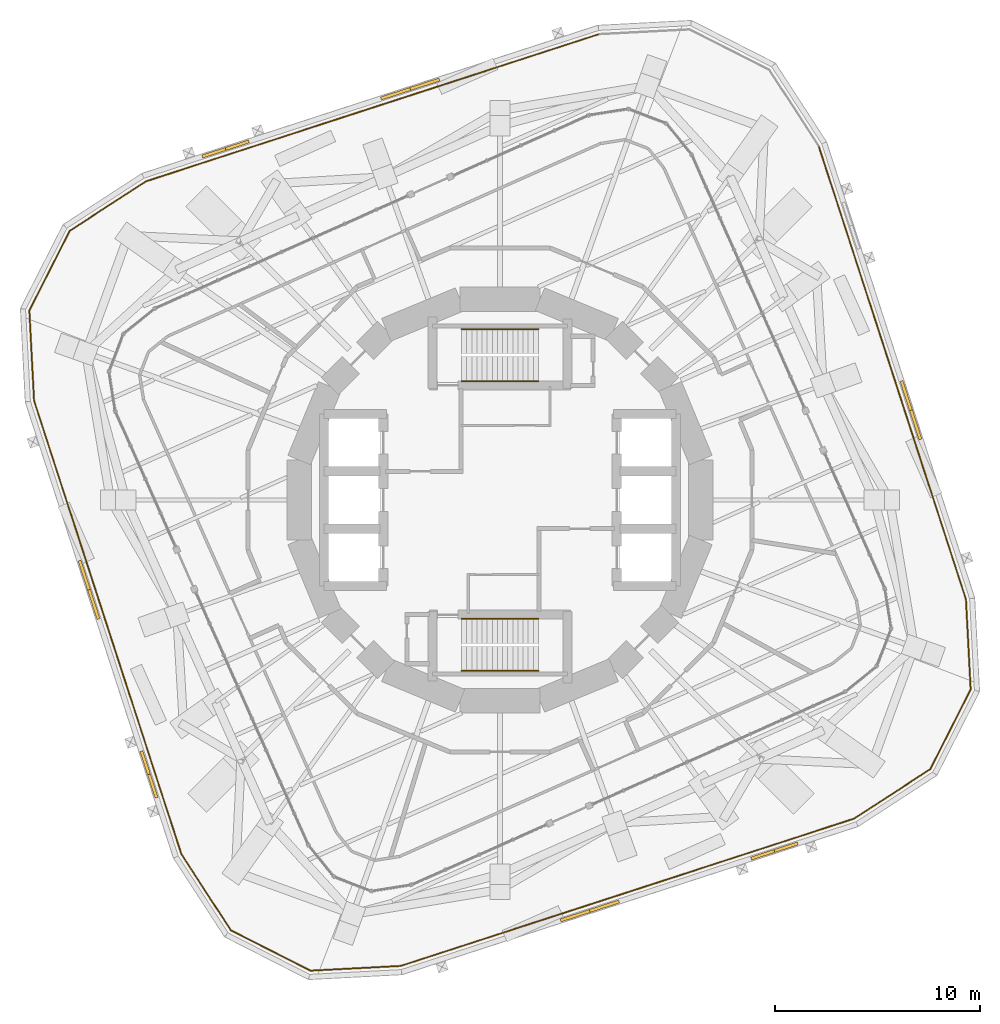
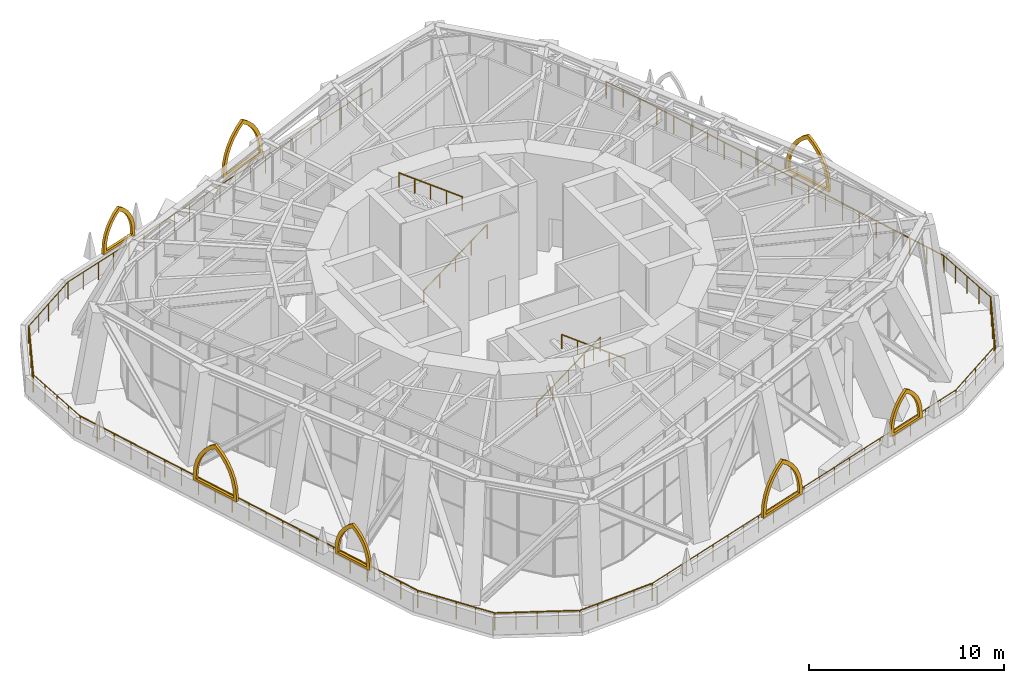
# One storey, part 16 of 18: 17 railings, 7 shading devices.
"""IFC4 building model written with IfcOpenShell, lengths in metres."""

from ifc_helpers import new_model, si_unit, direction, frame, origin, origin_2d, place, context, subcontext, project, spatial, polyline, circle, outline, extrude, material, type_object, element, save


model = new_model("IFC4")

# Units and contexts
model_context = context("Model", 3, precision=1e-05, world=origin(), true_north=direction((0.0, 1.0)))
body_context = subcontext(model_context, "Body", "Model", "MODEL_VIEW")
ifc_project = project(units=[si_unit("LENGTHUNIT", "METRE"), si_unit("AREAUNIT", "SQUARE_METRE"), si_unit("VOLUMEUNIT", "CUBIC_METRE"), si_unit("PLANEANGLEUNIT", "RADIAN"), si_unit("MASSUNIT", "GRAM", prefix="KILO")], contexts=[model_context])

# Site, building, storey
site_placement = place(None, origin())
site = spatial("IfcSite", under=ifc_project, at=site_placement, CompositionType="ELEMENT")
building_placement = place(site_placement, origin())
building = spatial("IfcBuilding", under=site, at=building_placement, Name="Nakasero Lantern House", CompositionType="ELEMENT")
storey_placement = place(building_placement, frame((0.0, 0.0, 176.449951171875)))
storey = spatial("IfcBuildingStorey", under=building, at=storey_placement, Name="L43", CompositionType="ELEMENT", Elevation=176.449951171875)

# Shading devices
ifc_material_1 = material(Name="Aluminium 6063-T6", Category="aluminium")
shading_device_type_1 = type_object("IfcShadingDeviceType", Name="Lancet screen 2400", PredefinedType="USERDEFINED", material=ifc_material_1)
for number, where, z_axis, x_axis, name in (
    (1, (-13.405029296875, 17.14697265625, 1.10009765625), (0.0, 0.0, 1.0), (-0.951056516, -0.309016994, 0.0), "Tracery screen L43 1-01"),
    (2, (-17.14697265625, -13.405029296875, 1.10009765625), (0.0, 0.0, 1.0), (0.309016994, -0.951056516, 0.0), "Tracery screen L43 2-01"),
    (3, (13.405029296875, -17.14697265625, 1.10009765625), (0.0, 0.0, 1.0), (0.951056516, 0.309016994, 0.0), "Tracery screen L43 3-01"),
):
    element("IfcShadingDevice", number, at=place(storey_placement, frame(where, z_axis=z_axis, x_axis=x_axis)), inside=storey, type_object=shading_device_type_1, Name=name, ObjectType="LANCET SCREEN", PredefinedType="USERDEFINED", context=body_context, shape_type="SweptSolid", body=[
        extrude(outline(polyline([(-1.199951171875, 0.0), (1.199951171875, 0.0), (1.199951171875, 0.300048828125), (1.16357421875, 0.716796875), (1.05517578125, 1.120849609375), (0.87841796875, 1.5), (0.638427734375, 1.8427734375), (0.3427734375, 2.138427734375), (0.0, 2.37841796875), (-0.3427734375, 2.138427734375), (-0.638427734375, 1.8427734375), (-0.87841796875, 1.5), (-1.05517578125, 1.120849609375), (-1.16357421875, 0.716796875), (-1.199951171875, 0.300048828125), (-1.199951171875, 0.0)]), holes=[polyline([(-0.97998046875, 0.14990234375), (0.97998046875, 0.14990234375), (0.97998046875, 0.300048828125), (0.950439453125, 0.6572265625), (0.86279296875, 1.0048828125), (0.719482421875, 1.33349609375), (0.524169921875, 1.63427734375), (0.281982421875, 1.898681640625), (0.0, 2.1201171875), (-0.281982421875, 1.898681640625), (-0.524169921875, 1.63427734375), (-0.719482421875, 1.33349609375), (-0.86279296875, 1.0048828125), (-0.950439453125, 0.6572265625), (-0.97998046875, 0.300048828125), (-0.97998046875, 0.14990234375)])]), frame((0.0, 0.074951171875, 0.0), z_axis=(0.0, -1.0, 0.0), x_axis=(1.0, 0.0, 0.0)), (0.0, 0.0, 1.0), 0.14990234375),
    ])
ifc_material_2 = material(Name="Aluminium 6063-T6", Category="aluminium")
shading_device_type_2 = type_object("IfcShadingDeviceType", Name="Lancet screen 3000", PredefinedType="USERDEFINED", material=ifc_material_2)
for number, where, z_axis, x_axis, name in (
    (4, (20.07666015625, 4.3876953125, 1.10009765625), (0.0, 0.0, 1.0), (-0.309016994, 0.951056516, 0.0), "Tracery screen L43 0-00"),
    (5, (-4.3876953125, 20.07666015625, 1.10009765625), (0.0, 0.0, 1.0), (-0.951056516, -0.309016994, 0.0), "Tracery screen L43 1-00"),
    (6, (-20.07666015625, -4.3876953125, 1.10009765625), (0.0, 0.0, 1.0), (0.309016994, -0.951056516, 0.0), "Tracery screen L43 2-00"),
    (7, (4.3876953125, -20.07666015625, 1.10009765625), (0.0, 0.0, 1.0), (0.951056516, 0.309016994, 0.0), "Tracery screen L43 3-00"),
):
    element("IfcShadingDevice", number, at=place(storey_placement, frame(where, z_axis=z_axis, x_axis=x_axis)), inside=storey, type_object=shading_device_type_2, Name=name, ObjectType="LANCET SCREEN", PredefinedType="USERDEFINED", context=body_context, shape_type="SweptSolid", body=[
        extrude(outline(polyline([(-1.5, 0.0), (1.5, 0.0), (1.5, 0.300048828125), (1.454345703125, 0.821044921875), (1.319091796875, 1.326171875), (1.09814453125, 1.800048828125), (0.798095703125, 2.228271484375), (0.428466796875, 2.59814453125), (0.0, 2.898193359375), (-0.428466796875, 2.59814453125), (-0.798095703125, 2.228271484375), (-1.09814453125, 1.800048828125), (-1.319091796875, 1.326171875), (-1.454345703125, 0.821044921875), (-1.5, 0.300048828125), (-1.5, 0.0)]), holes=[polyline([(-1.280029296875, 0.14990234375), (1.280029296875, 0.14990234375), (1.280029296875, 0.300048828125), (1.241455078125, 0.761474609375), (1.126708984375, 1.21044921875), (0.939208984375, 1.6337890625), (0.683837890625, 2.020263671875), (0.367919921875, 2.359130859375), (0.0, 2.640625), (-0.367919921875, 2.359130859375), (-0.683837890625, 2.020263671875), (-0.939208984375, 1.6337890625), (-1.126708984375, 1.21044921875), (-1.241455078125, 0.761474609375), (-1.280029296875, 0.300048828125), (-1.280029296875, 0.14990234375)])]), frame((0.0, 0.074951171875, 0.0), z_axis=(0.0, -1.0, 0.0), x_axis=(1.0, 0.0, 0.0)), (0.0, 0.0, 1.0), 0.14990234375),
    ])

# Railings
ifc_material_3 = material(Name="Aluminium 6063-T6", Category="aluminium")
railing_type_1 = type_object("IfcRailingType", Name="Sky garden guard 1100", PredefinedType="GUARDRAIL", material=ifc_material_3)
railing_1_placement = place(storey_placement, frame((-22.99267578125, 9.265380859375, 0.0)))
element("IfcRailing", 8, at=railing_1_placement, inside=storey, type_object=railing_type_1, Name="Sky garden guard L43 1", PredefinedType="GUARDRAIL", context=body_context, shape_type="SweptSolid", body=[
    extrude(circle(Radius=0.02392578125, at=origin_2d()), frame((0.0, 0.0, 1.076171875), z_axis=(0.453978557645, 0.891012608889, 0.0), x_axis=(-0.891012608889, 0.453978557645, 0.0)), (0.0, 0.0, 1.0), 4.36572265625),
    extrude(circle(Radius=0.02099609375, at=origin_2d()), origin(), (0.0, 0.0, 1.0), 1.052001953125),
    extrude(circle(Radius=0.02099609375, at=origin_2d()), frame((0.49560546875, 0.972412109375, 0.0)), (0.0, 0.0, 1.0), 1.052001953125),
    extrude(circle(Radius=0.02099609375, at=origin_2d()), frame((0.990966796875, 1.94482421875, 0.0)), (0.0, 0.0, 1.0), 1.052001953125),
    extrude(circle(Radius=0.02099609375, at=origin_2d()), frame((1.486328125, 2.91748046875, 0.0)), (0.0, 0.0, 1.0), 1.052001953125),
    extrude(circle(Radius=0.02099609375, at=origin_2d()), frame((1.98193359375, 3.889892578125, 0.0)), (0.0, 0.0, 1.0), 1.052001953125),
])
railing_2_placement = place(storey_placement, frame((-22.760986328125, 4.84423828125, 0.0)))
element("IfcRailing", 9, at=railing_2_placement, inside=storey, type_object=railing_type_1, Name="Sky garden guard L43 2", PredefinedType="GUARDRAIL", context=body_context, shape_type="SweptSolid", body=[
    extrude(circle(Radius=0.02392578125, at=origin_2d()), frame((0.0, 0.0, 1.076171875), z_axis=(-0.052333070407, 0.998629685991, 0.0), x_axis=(-0.998629685991, -0.052333070407, 0.0)), (0.0, 0.0, 1.0), 4.42724609375),
    extrude(circle(Radius=0.02099609375, at=origin_2d()), origin(), (0.0, 0.0, 1.0), 1.052001953125),
    extrude(circle(Radius=0.02099609375, at=origin_2d()), frame((-0.057861328125, 1.105224609375, 0.0)), (0.0, 0.0, 1.0), 1.052001953125),
    extrude(circle(Radius=0.02099609375, at=origin_2d()), frame((-0.11572265625, 2.21044921875, 0.0)), (0.0, 0.0, 1.0), 1.052001953125),
    extrude(circle(Radius=0.02099609375, at=origin_2d()), frame((-0.173828125, 3.31591796875, 0.0)), (0.0, 0.0, 1.0), 1.052001953125),
    extrude(circle(Radius=0.02099609375, at=origin_2d()), frame((-0.231689453125, 4.421142578125, 0.0)), (0.0, 0.0, 1.0), 1.052001953125),
])
railing_3_placement = place(storey_placement, frame((-21.0107421875, 13.1552734375, 0.0)))
element("IfcRailing", 10, at=railing_3_placement, inside=storey, type_object=railing_type_1, Name="Sky garden guard L43 3", PredefinedType="GUARDRAIL", context=body_context, shape_type="SweptSolid", body=[
    extrude(circle(Radius=0.02392578125, at=origin_2d()), frame((0.0, 0.0, 1.076171875), z_axis=(0.838666540027, 0.544645237415, 0.0), x_axis=(-0.544645237415, 0.838666540027, 0.0)), (0.0, 0.0, 1.0), 4.427490234375),
    extrude(circle(Radius=0.02099609375, at=origin_2d()), origin(), (0.0, 0.0, 1.0), 1.052001953125),
    extrude(circle(Radius=0.02099609375, at=origin_2d()), frame((0.92822265625, 0.602783203125, 0.0)), (0.0, 0.0, 1.0), 1.052001953125),
    extrude(circle(Radius=0.02099609375, at=origin_2d()), frame((1.8564453125, 1.20556640625, 0.0)), (0.0, 0.0, 1.0), 1.052001953125),
    extrude(circle(Radius=0.02099609375, at=origin_2d()), frame((2.784912109375, 1.80859375, 0.0)), (0.0, 0.0, 1.0), 1.052001953125),
    extrude(circle(Radius=0.02099609375, at=origin_2d()), frame((3.713134765625, 2.411376953125, 0.0)), (0.0, 0.0, 1.0), 1.052001953125),
])
railing_4_placement = place(storey_placement, frame((-17.297607421875, 15.566650390625, 0.0)))
element("IfcRailing", 11, at=railing_4_placement, inside=storey, type_object=railing_type_1, Name="Sky garden guard L43 4", PredefinedType="GUARDRAIL", context=body_context, shape_type="SweptSolid", body=[
    extrude(circle(Radius=0.02392578125, at=origin_2d()), frame((0.0, 0.0, 1.076171875), z_axis=(0.951056337576, 0.309017544416, 0.0), x_axis=(-0.309017544416, 0.951056337576, 0.0)), (0.0, 0.0, 1.0), 23.28125),
    extrude(circle(Radius=0.02099609375, at=origin_2d()), origin(), (0.0, 0.0, 1.0), 1.052001953125),
    extrude(circle(Radius=0.02099609375, at=origin_2d()), frame((1.107177734375, 0.359619140625, 0.0)), (0.0, 0.0, 1.0), 1.052001953125),
    extrude(circle(Radius=0.02099609375, at=origin_2d()), frame((2.214111328125, 0.719482421875, 0.0)), (0.0, 0.0, 1.0), 1.052001953125),
    extrude(circle(Radius=0.02099609375, at=origin_2d()), frame((3.3212890625, 1.0791015625, 0.0)), (0.0, 0.0, 1.0), 1.052001953125),
    extrude(circle(Radius=0.02099609375, at=origin_2d()), frame((4.428466796875, 1.43896484375, 0.0)), (0.0, 0.0, 1.0), 1.052001953125),
    extrude(circle(Radius=0.02099609375, at=origin_2d()), frame((5.535400390625, 1.798583984375, 0.0)), (0.0, 0.0, 1.0), 1.052001953125),
    extrude(circle(Radius=0.02099609375, at=origin_2d()), frame((6.642578125, 2.158203125, 0.0)), (0.0, 0.0, 1.0), 1.052001953125),
    extrude(circle(Radius=0.02099609375, at=origin_2d()), frame((7.749755859375, 2.51806640625, 0.0)), (0.0, 0.0, 1.0), 1.052001953125),
    extrude(circle(Radius=0.02099609375, at=origin_2d()), frame((8.856689453125, 2.877685546875, 0.0)), (0.0, 0.0, 1.0), 1.052001953125),
    extrude(circle(Radius=0.02099609375, at=origin_2d()), frame((9.9638671875, 3.237548828125, 0.0)), (0.0, 0.0, 1.0), 1.052001953125),
    extrude(circle(Radius=0.02099609375, at=origin_2d()), frame((11.07080078125, 3.59716796875, 0.0)), (0.0, 0.0, 1.0), 1.052001953125),
    extrude(circle(Radius=0.02099609375, at=origin_2d()), frame((12.177978515625, 3.956787109375, 0.0)), (0.0, 0.0, 1.0), 1.052001953125),
    extrude(circle(Radius=0.02099609375, at=origin_2d()), frame((13.28515625, 4.316650390625, 0.0)), (0.0, 0.0, 1.0), 1.052001953125),
    extrude(circle(Radius=0.02099609375, at=origin_2d()), frame((14.39208984375, 4.67626953125, 0.0)), (0.0, 0.0, 1.0), 1.052001953125),
    extrude(circle(Radius=0.02099609375, at=origin_2d()), frame((15.499267578125, 5.0361328125, 0.0)), (0.0, 0.0, 1.0), 1.052001953125),
    extrude(circle(Radius=0.02099609375, at=origin_2d()), frame((16.6064453125, 5.395751953125, 0.0)), (0.0, 0.0, 1.0), 1.052001953125),
    extrude(circle(Radius=0.02099609375, at=origin_2d()), frame((17.71337890625, 5.75537109375, 0.0)), (0.0, 0.0, 1.0), 1.052001953125),
    extrude(circle(Radius=0.02099609375, at=origin_2d()), frame((18.820556640625, 6.115234375, 0.0)), (0.0, 0.0, 1.0), 1.052001953125),
    extrude(circle(Radius=0.02099609375, at=origin_2d()), frame((19.927734375, 6.474853515625, 0.0)), (0.0, 0.0, 1.0), 1.052001953125),
    extrude(circle(Radius=0.02099609375, at=origin_2d()), frame((21.03466796875, 6.834716796875, 0.0)), (0.0, 0.0, 1.0), 1.052001953125),
    extrude(circle(Radius=0.02099609375, at=origin_2d()), frame((22.141845703125, 7.1943359375, 0.0)), (0.0, 0.0, 1.0), 1.052001953125),
])
railing_5_placement = place(storey_placement, frame((-15.566650390625, -17.297607421875, 0.0)))
element("IfcRailing", 12, at=railing_5_placement, inside=storey, type_object=railing_type_1, Name="Sky garden guard L43 5", PredefinedType="GUARDRAIL", context=body_context, shape_type="SweptSolid", body=[
    extrude(circle(Radius=0.02392578125, at=origin_2d()), frame((0.0, 0.0, 1.076171875), z_axis=(-0.309017544416, 0.951056337576, 0.0), x_axis=(-0.951056337576, -0.309017544416, 0.0)), (0.0, 0.0, 1.0), 23.28125),
    extrude(circle(Radius=0.02099609375, at=origin_2d()), origin(), (0.0, 0.0, 1.0), 1.052001953125),
    extrude(circle(Radius=0.02099609375, at=origin_2d()), frame((-0.359619140625, 1.107177734375, 0.0)), (0.0, 0.0, 1.0), 1.052001953125),
    extrude(circle(Radius=0.02099609375, at=origin_2d()), frame((-0.719482421875, 2.214111328125, 0.0)), (0.0, 0.0, 1.0), 1.052001953125),
    extrude(circle(Radius=0.02099609375, at=origin_2d()), frame((-1.0791015625, 3.3212890625, 0.0)), (0.0, 0.0, 1.0), 1.052001953125),
    extrude(circle(Radius=0.02099609375, at=origin_2d()), frame((-1.43896484375, 4.428466796875, 0.0)), (0.0, 0.0, 1.0), 1.052001953125),
    extrude(circle(Radius=0.02099609375, at=origin_2d()), frame((-1.798583984375, 5.535400390625, 0.0)), (0.0, 0.0, 1.0), 1.052001953125),
    extrude(circle(Radius=0.02099609375, at=origin_2d()), frame((-2.158203125, 6.642578125, 0.0)), (0.0, 0.0, 1.0), 1.052001953125),
    extrude(circle(Radius=0.02099609375, at=origin_2d()), frame((-2.51806640625, 7.749755859375, 0.0)), (0.0, 0.0, 1.0), 1.052001953125),
    extrude(circle(Radius=0.02099609375, at=origin_2d()), frame((-2.877685546875, 8.856689453125, 0.0)), (0.0, 0.0, 1.0), 1.052001953125),
    extrude(circle(Radius=0.02099609375, at=origin_2d()), frame((-3.237548828125, 9.9638671875, 0.0)), (0.0, 0.0, 1.0), 1.052001953125),
    extrude(circle(Radius=0.02099609375, at=origin_2d()), frame((-3.59716796875, 11.07080078125, 0.0)), (0.0, 0.0, 1.0), 1.052001953125),
    extrude(circle(Radius=0.02099609375, at=origin_2d()), frame((-3.956787109375, 12.177978515625, 0.0)), (0.0, 0.0, 1.0), 1.052001953125),
    extrude(circle(Radius=0.02099609375, at=origin_2d()), frame((-4.316650390625, 13.28515625, 0.0)), (0.0, 0.0, 1.0), 1.052001953125),
    extrude(circle(Radius=0.02099609375, at=origin_2d()), frame((-4.67626953125, 14.39208984375, 0.0)), (0.0, 0.0, 1.0), 1.052001953125),
    extrude(circle(Radius=0.02099609375, at=origin_2d()), frame((-5.0361328125, 15.499267578125, 0.0)), (0.0, 0.0, 1.0), 1.052001953125),
    extrude(circle(Radius=0.02099609375, at=origin_2d()), frame((-5.395751953125, 16.6064453125, 0.0)), (0.0, 0.0, 1.0), 1.052001953125),
    extrude(circle(Radius=0.02099609375, at=origin_2d()), frame((-5.75537109375, 17.71337890625, 0.0)), (0.0, 0.0, 1.0), 1.052001953125),
    extrude(circle(Radius=0.02099609375, at=origin_2d()), frame((-6.115234375, 18.820556640625, 0.0)), (0.0, 0.0, 1.0), 1.052001953125),
    extrude(circle(Radius=0.02099609375, at=origin_2d()), frame((-6.474853515625, 19.927734375, 0.0)), (0.0, 0.0, 1.0), 1.052001953125),
    extrude(circle(Radius=0.02099609375, at=origin_2d()), frame((-6.834716796875, 21.03466796875, 0.0)), (0.0, 0.0, 1.0), 1.052001953125),
    extrude(circle(Radius=0.02099609375, at=origin_2d()), frame((-7.1943359375, 22.141845703125, 0.0)), (0.0, 0.0, 1.0), 1.052001953125),
])
railing_6_placement = place(storey_placement, frame((-13.1552734375, -21.0107421875, 0.0)))
element("IfcRailing", 13, at=railing_6_placement, inside=storey, type_object=railing_type_1, Name="Sky garden guard L43 6", PredefinedType="GUARDRAIL", context=body_context, shape_type="SweptSolid", body=[
    extrude(circle(Radius=0.02392578125, at=origin_2d()), frame((0.0, 0.0, 1.076171875), z_axis=(-0.544645237415, 0.838666540027, 0.0), x_axis=(-0.838666540027, -0.544645237415, 0.0)), (0.0, 0.0, 1.0), 4.427490234375),
    extrude(circle(Radius=0.02099609375, at=origin_2d()), origin(), (0.0, 0.0, 1.0), 1.052001953125),
    extrude(circle(Radius=0.02099609375, at=origin_2d()), frame((-0.602783203125, 0.92822265625, 0.0)), (0.0, 0.0, 1.0), 1.052001953125),
    extrude(circle(Radius=0.02099609375, at=origin_2d()), frame((-1.20556640625, 1.8564453125, 0.0)), (0.0, 0.0, 1.0), 1.052001953125),
    extrude(circle(Radius=0.02099609375, at=origin_2d()), frame((-1.80859375, 2.784912109375, 0.0)), (0.0, 0.0, 1.0), 1.052001953125),
    extrude(circle(Radius=0.02099609375, at=origin_2d()), frame((-2.411376953125, 3.713134765625, 0.0)), (0.0, 0.0, 1.0), 1.052001953125),
])
railing_7_placement = place(storey_placement, frame((-9.265380859375, -22.99267578125, 0.0)))
element("IfcRailing", 14, at=railing_7_placement, inside=storey, type_object=railing_type_1, Name="Sky garden guard L43 7", PredefinedType="GUARDRAIL", context=body_context, shape_type="SweptSolid", body=[
    extrude(circle(Radius=0.02392578125, at=origin_2d()), frame((0.0, 0.0, 1.076171875), z_axis=(-0.891012608889, 0.453978557645, 0.0), x_axis=(-0.453978557645, -0.891012608889, 0.0)), (0.0, 0.0, 1.0), 4.36572265625),
    extrude(circle(Radius=0.02099609375, at=origin_2d()), origin(), (0.0, 0.0, 1.0), 1.052001953125),
    extrude(circle(Radius=0.02099609375, at=origin_2d()), frame((-0.972412109375, 0.49560546875, 0.0)), (0.0, 0.0, 1.0), 1.052001953125),
    extrude(circle(Radius=0.02099609375, at=origin_2d()), frame((-1.94482421875, 0.990966796875, 0.0)), (0.0, 0.0, 1.0), 1.052001953125),
    extrude(circle(Radius=0.02099609375, at=origin_2d()), frame((-2.91748046875, 1.486328125, 0.0)), (0.0, 0.0, 1.0), 1.052001953125),
    extrude(circle(Radius=0.02099609375, at=origin_2d()), frame((-3.889892578125, 1.98193359375, 0.0)), (0.0, 0.0, 1.0), 1.052001953125),
])
railing_8_placement = place(storey_placement, frame((-4.84423828125, -22.760986328125, 0.0)))
element("IfcRailing", 15, at=railing_8_placement, inside=storey, type_object=railing_type_1, Name="Sky garden guard L43 8", PredefinedType="GUARDRAIL", context=body_context, shape_type="SweptSolid", body=[
    extrude(circle(Radius=0.02392578125, at=origin_2d()), frame((0.0, 0.0, 1.076171875), z_axis=(-0.998629685991, -0.052333070407, 0.0), x_axis=(0.052333070407, -0.998629685991, 0.0)), (0.0, 0.0, 1.0), 4.42724609375),
    extrude(circle(Radius=0.02099609375, at=origin_2d()), origin(), (0.0, 0.0, 1.0), 1.052001953125),
    extrude(circle(Radius=0.02099609375, at=origin_2d()), frame((-1.105224609375, -0.057861328125, 0.0)), (0.0, 0.0, 1.0), 1.052001953125),
    extrude(circle(Radius=0.02099609375, at=origin_2d()), frame((-2.21044921875, -0.11572265625, 0.0)), (0.0, 0.0, 1.0), 1.052001953125),
    extrude(circle(Radius=0.02099609375, at=origin_2d()), frame((-3.31591796875, -0.173828125, 0.0)), (0.0, 0.0, 1.0), 1.052001953125),
    extrude(circle(Radius=0.02099609375, at=origin_2d()), frame((-4.421142578125, -0.231689453125, 0.0)), (0.0, 0.0, 1.0), 1.052001953125),
])
railing_9_placement = place(storey_placement, frame((15.566650390625, 17.297607421875, 0.0)))
element("IfcRailing", 16, at=railing_9_placement, inside=storey, type_object=railing_type_1, Name="Sky garden guard L43 12", PredefinedType="GUARDRAIL", context=body_context, shape_type="SweptSolid", body=[
    extrude(circle(Radius=0.02392578125, at=origin_2d()), frame((0.0, 0.0, 1.076171875), z_axis=(0.309017544416, -0.951056337576, 0.0), x_axis=(0.951056337576, 0.309017544416, 0.0)), (0.0, 0.0, 1.0), 23.28125),
    extrude(circle(Radius=0.02099609375, at=origin_2d()), origin(), (0.0, 0.0, 1.0), 1.052001953125),
    extrude(circle(Radius=0.02099609375, at=origin_2d()), frame((0.359619140625, -1.107177734375, 0.0)), (0.0, 0.0, 1.0), 1.052001953125),
    extrude(circle(Radius=0.02099609375, at=origin_2d()), frame((0.719482421875, -2.214111328125, 0.0)), (0.0, 0.0, 1.0), 1.052001953125),
    extrude(circle(Radius=0.02099609375, at=origin_2d()), frame((1.0791015625, -3.3212890625, 0.0)), (0.0, 0.0, 1.0), 1.052001953125),
    extrude(circle(Radius=0.02099609375, at=origin_2d()), frame((1.43896484375, -4.428466796875, 0.0)), (0.0, 0.0, 1.0), 1.052001953125),
    extrude(circle(Radius=0.02099609375, at=origin_2d()), frame((1.798583984375, -5.535400390625, 0.0)), (0.0, 0.0, 1.0), 1.052001953125),
    extrude(circle(Radius=0.02099609375, at=origin_2d()), frame((2.158203125, -6.642578125, 0.0)), (0.0, 0.0, 1.0), 1.052001953125),
    extrude(circle(Radius=0.02099609375, at=origin_2d()), frame((2.51806640625, -7.749755859375, 0.0)), (0.0, 0.0, 1.0), 1.052001953125),
    extrude(circle(Radius=0.02099609375, at=origin_2d()), frame((2.877685546875, -8.856689453125, 0.0)), (0.0, 0.0, 1.0), 1.052001953125),
    extrude(circle(Radius=0.02099609375, at=origin_2d()), frame((3.237548828125, -9.9638671875, 0.0)), (0.0, 0.0, 1.0), 1.052001953125),
    extrude(circle(Radius=0.02099609375, at=origin_2d()), frame((3.59716796875, -11.07080078125, 0.0)), (0.0, 0.0, 1.0), 1.052001953125),
    extrude(circle(Radius=0.02099609375, at=origin_2d()), frame((3.956787109375, -12.177978515625, 0.0)), (0.0, 0.0, 1.0), 1.052001953125),
    extrude(circle(Radius=0.02099609375, at=origin_2d()), frame((4.316650390625, -13.28515625, 0.0)), (0.0, 0.0, 1.0), 1.052001953125),
    extrude(circle(Radius=0.02099609375, at=origin_2d()), frame((4.67626953125, -14.39208984375, 0.0)), (0.0, 0.0, 1.0), 1.052001953125),
    extrude(circle(Radius=0.02099609375, at=origin_2d()), frame((5.0361328125, -15.499267578125, 0.0)), (0.0, 0.0, 1.0), 1.052001953125),
    extrude(circle(Radius=0.02099609375, at=origin_2d()), frame((5.395751953125, -16.6064453125, 0.0)), (0.0, 0.0, 1.0), 1.052001953125),
    extrude(circle(Radius=0.02099609375, at=origin_2d()), frame((5.75537109375, -17.71337890625, 0.0)), (0.0, 0.0, 1.0), 1.052001953125),
    extrude(circle(Radius=0.02099609375, at=origin_2d()), frame((6.115234375, -18.820556640625, 0.0)), (0.0, 0.0, 1.0), 1.052001953125),
    extrude(circle(Radius=0.02099609375, at=origin_2d()), frame((6.474853515625, -19.927734375, 0.0)), (0.0, 0.0, 1.0), 1.052001953125),
    extrude(circle(Radius=0.02099609375, at=origin_2d()), frame((6.834716796875, -21.03466796875, 0.0)), (0.0, 0.0, 1.0), 1.052001953125),
    extrude(circle(Radius=0.02099609375, at=origin_2d()), frame((7.1943359375, -22.141845703125, 0.0)), (0.0, 0.0, 1.0), 1.052001953125),
])
railing_10_placement = place(storey_placement, frame((17.297607421875, -15.566650390625, 0.0)))
element("IfcRailing", 17, at=railing_10_placement, inside=storey, type_object=railing_type_1, Name="Sky garden guard L43 13", PredefinedType="GUARDRAIL", context=body_context, shape_type="SweptSolid", body=[
    extrude(circle(Radius=0.02392578125, at=origin_2d()), frame((0.0, 0.0, 1.076171875), z_axis=(-0.951056337576, -0.309017544416, 0.0), x_axis=(0.309017544416, -0.951056337576, 0.0)), (0.0, 0.0, 1.0), 23.28125),
    extrude(circle(Radius=0.02099609375, at=origin_2d()), origin(), (0.0, 0.0, 1.0), 1.052001953125),
    extrude(circle(Radius=0.02099609375, at=origin_2d()), frame((-1.107177734375, -0.359619140625, 0.0)), (0.0, 0.0, 1.0), 1.052001953125),
    extrude(circle(Radius=0.02099609375, at=origin_2d()), frame((-2.214111328125, -0.719482421875, 0.0)), (0.0, 0.0, 1.0), 1.052001953125),
    extrude(circle(Radius=0.02099609375, at=origin_2d()), frame((-3.3212890625, -1.0791015625, 0.0)), (0.0, 0.0, 1.0), 1.052001953125),
    extrude(circle(Radius=0.02099609375, at=origin_2d()), frame((-4.428466796875, -1.43896484375, 0.0)), (0.0, 0.0, 1.0), 1.052001953125),
    extrude(circle(Radius=0.02099609375, at=origin_2d()), frame((-5.535400390625, -1.798583984375, 0.0)), (0.0, 0.0, 1.0), 1.052001953125),
    extrude(circle(Radius=0.02099609375, at=origin_2d()), frame((-6.642578125, -2.158203125, 0.0)), (0.0, 0.0, 1.0), 1.052001953125),
    extrude(circle(Radius=0.02099609375, at=origin_2d()), frame((-7.749755859375, -2.51806640625, 0.0)), (0.0, 0.0, 1.0), 1.052001953125),
    extrude(circle(Radius=0.02099609375, at=origin_2d()), frame((-8.856689453125, -2.877685546875, 0.0)), (0.0, 0.0, 1.0), 1.052001953125),
    extrude(circle(Radius=0.02099609375, at=origin_2d()), frame((-9.9638671875, -3.237548828125, 0.0)), (0.0, 0.0, 1.0), 1.052001953125),
    extrude(circle(Radius=0.02099609375, at=origin_2d()), frame((-11.07080078125, -3.59716796875, 0.0)), (0.0, 0.0, 1.0), 1.052001953125),
    extrude(circle(Radius=0.02099609375, at=origin_2d()), frame((-12.177978515625, -3.956787109375, 0.0)), (0.0, 0.0, 1.0), 1.052001953125),
    extrude(circle(Radius=0.02099609375, at=origin_2d()), frame((-13.28515625, -4.316650390625, 0.0)), (0.0, 0.0, 1.0), 1.052001953125),
    extrude(circle(Radius=0.02099609375, at=origin_2d()), frame((-14.39208984375, -4.67626953125, 0.0)), (0.0, 0.0, 1.0), 1.052001953125),
    extrude(circle(Radius=0.02099609375, at=origin_2d()), frame((-15.499267578125, -5.0361328125, 0.0)), (0.0, 0.0, 1.0), 1.052001953125),
    extrude(circle(Radius=0.02099609375, at=origin_2d()), frame((-16.6064453125, -5.395751953125, 0.0)), (0.0, 0.0, 1.0), 1.052001953125),
    extrude(circle(Radius=0.02099609375, at=origin_2d()), frame((-17.71337890625, -5.75537109375, 0.0)), (0.0, 0.0, 1.0), 1.052001953125),
    extrude(circle(Radius=0.02099609375, at=origin_2d()), frame((-18.820556640625, -6.115234375, 0.0)), (0.0, 0.0, 1.0), 1.052001953125),
    extrude(circle(Radius=0.02099609375, at=origin_2d()), frame((-19.927734375, -6.474853515625, 0.0)), (0.0, 0.0, 1.0), 1.052001953125),
    extrude(circle(Radius=0.02099609375, at=origin_2d()), frame((-21.03466796875, -6.834716796875, 0.0)), (0.0, 0.0, 1.0), 1.052001953125),
    extrude(circle(Radius=0.02099609375, at=origin_2d()), frame((-22.141845703125, -7.1943359375, 0.0)), (0.0, 0.0, 1.0), 1.052001953125),
])
railing_11_placement = place(storey_placement, frame((21.0107421875, -13.1552734375, 0.0)))
element("IfcRailing", 18, at=railing_11_placement, inside=storey, type_object=railing_type_1, Name="Sky garden guard L43 14", PredefinedType="GUARDRAIL", context=body_context, shape_type="SweptSolid", body=[
    extrude(circle(Radius=0.02392578125, at=origin_2d()), frame((0.0, 0.0, 1.076171875), z_axis=(-0.838666540027, -0.544645237415, 0.0), x_axis=(0.544645237415, -0.838666540027, 0.0)), (0.0, 0.0, 1.0), 4.427490234375),
    extrude(circle(Radius=0.02099609375, at=origin_2d()), origin(), (0.0, 0.0, 1.0), 1.052001953125),
    extrude(circle(Radius=0.02099609375, at=origin_2d()), frame((-0.92822265625, -0.602783203125, 0.0)), (0.0, 0.0, 1.0), 1.052001953125),
    extrude(circle(Radius=0.02099609375, at=origin_2d()), frame((-1.8564453125, -1.20556640625, 0.0)), (0.0, 0.0, 1.0), 1.052001953125),
    extrude(circle(Radius=0.02099609375, at=origin_2d()), frame((-2.784912109375, -1.80859375, 0.0)), (0.0, 0.0, 1.0), 1.052001953125),
    extrude(circle(Radius=0.02099609375, at=origin_2d()), frame((-3.713134765625, -2.411376953125, 0.0)), (0.0, 0.0, 1.0), 1.052001953125),
])
railing_12_placement = place(storey_placement, frame((22.760986328125, -4.84423828125, 0.0)))
element("IfcRailing", 19, at=railing_12_placement, inside=storey, type_object=railing_type_1, Name="Sky garden guard L43 15", PredefinedType="GUARDRAIL", context=body_context, shape_type="SweptSolid", body=[
    extrude(circle(Radius=0.02392578125, at=origin_2d()), frame((0.0, 0.0, 1.076171875), z_axis=(0.052333070407, -0.998629685991, 0.0), x_axis=(0.998629685991, 0.052333070407, 0.0)), (0.0, 0.0, 1.0), 4.42724609375),
    extrude(circle(Radius=0.02099609375, at=origin_2d()), origin(), (0.0, 0.0, 1.0), 1.052001953125),
    extrude(circle(Radius=0.02099609375, at=origin_2d()), frame((0.057861328125, -1.105224609375, 0.0)), (0.0, 0.0, 1.0), 1.052001953125),
    extrude(circle(Radius=0.02099609375, at=origin_2d()), frame((0.11572265625, -2.21044921875, 0.0)), (0.0, 0.0, 1.0), 1.052001953125),
    extrude(circle(Radius=0.02099609375, at=origin_2d()), frame((0.173828125, -3.31591796875, 0.0)), (0.0, 0.0, 1.0), 1.052001953125),
    extrude(circle(Radius=0.02099609375, at=origin_2d()), frame((0.231689453125, -4.421142578125, 0.0)), (0.0, 0.0, 1.0), 1.052001953125),
])
railing_13_placement = place(storey_placement, frame((22.99267578125, -9.265380859375, 0.0)))
element("IfcRailing", 20, at=railing_13_placement, inside=storey, type_object=railing_type_1, Name="Sky garden guard L43 16", PredefinedType="GUARDRAIL", context=body_context, shape_type="SweptSolid", body=[
    extrude(circle(Radius=0.02392578125, at=origin_2d()), frame((0.0, 0.0, 1.076171875), z_axis=(-0.453978557645, -0.891012608889, 0.0), x_axis=(0.891012608889, -0.453978557645, 0.0)), (0.0, 0.0, 1.0), 4.36572265625),
    extrude(circle(Radius=0.02099609375, at=origin_2d()), origin(), (0.0, 0.0, 1.0), 1.052001953125),
    extrude(circle(Radius=0.02099609375, at=origin_2d()), frame((-0.49560546875, -0.972412109375, 0.0)), (0.0, 0.0, 1.0), 1.052001953125),
    extrude(circle(Radius=0.02099609375, at=origin_2d()), frame((-0.990966796875, -1.94482421875, 0.0)), (0.0, 0.0, 1.0), 1.052001953125),
    extrude(circle(Radius=0.02099609375, at=origin_2d()), frame((-1.486328125, -2.91748046875, 0.0)), (0.0, 0.0, 1.0), 1.052001953125),
    extrude(circle(Radius=0.02099609375, at=origin_2d()), frame((-1.98193359375, -3.889892578125, 0.0)), (0.0, 0.0, 1.0), 1.052001953125),
])
ifc_material_4 = material(Name="Stainless steel 316", Category="steel")
railing_type_2 = type_object("IfcRailingType", Name="Stair handrail 900", PredefinedType="HANDRAIL", material=ifc_material_4)
railing_14_placement = place(storey_placement, frame((-1.875, 5.800048828125, 0.1875)))
element("IfcRailing", 21, at=railing_14_placement, inside=storey, type_object=railing_type_2, Name="Handrail ST1 L43 flight 1", PredefinedType="HANDRAIL", context=body_context, shape_type="SweptSolid", body=[
    extrude(circle(Radius=0.02392578125, at=origin_2d()), frame((0.0, 0.0, 0.8759765625), z_axis=(0.8, 0.0, 0.6), x_axis=(0.0, 1.0, 0.0)), (0.0, 0.0, 1.0), 4.6875),
    extrude(circle(Radius=0.02099609375, at=origin_2d()), origin(), (0.0, 0.0, 1.0), 0.851806640625),
    extrude(circle(Radius=0.02099609375, at=origin_2d()), frame((0.9375, 0.0, 0.703125)), (0.0, 0.0, 1.0), 0.851806640625),
    extrude(circle(Radius=0.02099609375, at=origin_2d()), frame((1.875, 0.0, 1.40625)), (0.0, 0.0, 1.0), 0.851806640625),
    extrude(circle(Radius=0.02099609375, at=origin_2d()), frame((2.8125, 0.0, 2.109375)), (0.0, 0.0, 1.0), 0.851806640625),
    extrude(circle(Radius=0.02099609375, at=origin_2d()), frame((3.75, 0.0, 2.8125)), (0.0, 0.0, 1.0), 0.851806640625),
])
railing_15_placement = place(storey_placement, frame((1.875, 8.35009765625, 3.1875)))
element("IfcRailing", 22, at=railing_15_placement, inside=storey, type_object=railing_type_2, Name="Handrail ST1 L43 flight 2", PredefinedType="HANDRAIL", context=body_context, shape_type="SweptSolid", body=[
    extrude(circle(Radius=0.02392578125, at=origin_2d()), frame((0.0, 0.0, 0.8759765625), z_axis=(-0.8, 0.0, 0.6), x_axis=(0.0, -1.0, 0.0)), (0.0, 0.0, 1.0), 4.6875),
    extrude(circle(Radius=0.02099609375, at=origin_2d()), origin(), (0.0, 0.0, 1.0), 0.851806640625),
    extrude(circle(Radius=0.02099609375, at=origin_2d()), frame((-0.9375, 0.0, 0.703125)), (0.0, 0.0, 1.0), 0.851806640625),
    extrude(circle(Radius=0.02099609375, at=origin_2d()), frame((-1.875, 0.0, 1.40625)), (0.0, 0.0, 1.0), 0.851806640625),
    extrude(circle(Radius=0.02099609375, at=origin_2d()), frame((-2.8125, 0.0, 2.109375)), (0.0, 0.0, 1.0), 0.851806640625),
    extrude(circle(Radius=0.02099609375, at=origin_2d()), frame((-3.75, 0.0, 2.8125)), (0.0, 0.0, 1.0), 0.851806640625),
])
railing_16_placement = place(storey_placement, frame((-1.875, -5.800048828125, 0.1875)))
element("IfcRailing", 23, at=railing_16_placement, inside=storey, type_object=railing_type_2, Name="Handrail ST2 L43 flight 1", PredefinedType="HANDRAIL", context=body_context, shape_type="SweptSolid", body=[
    extrude(circle(Radius=0.02392578125, at=origin_2d()), frame((0.0, 0.0, 0.8759765625), z_axis=(0.8, 0.0, 0.6), x_axis=(0.0, 1.0, 0.0)), (0.0, 0.0, 1.0), 4.6875),
    extrude(circle(Radius=0.02099609375, at=origin_2d()), origin(), (0.0, 0.0, 1.0), 0.851806640625),
    extrude(circle(Radius=0.02099609375, at=origin_2d()), frame((0.9375, 0.0, 0.703125)), (0.0, 0.0, 1.0), 0.851806640625),
    extrude(circle(Radius=0.02099609375, at=origin_2d()), frame((1.875, 0.0, 1.40625)), (0.0, 0.0, 1.0), 0.851806640625),
    extrude(circle(Radius=0.02099609375, at=origin_2d()), frame((2.8125, 0.0, 2.109375)), (0.0, 0.0, 1.0), 0.851806640625),
    extrude(circle(Radius=0.02099609375, at=origin_2d()), frame((3.75, 0.0, 2.8125)), (0.0, 0.0, 1.0), 0.851806640625),
])
railing_17_placement = place(storey_placement, frame((1.875, -8.35009765625, 3.1875)))
element("IfcRailing", 24, at=railing_17_placement, inside=storey, type_object=railing_type_2, Name="Handrail ST2 L43 flight 2", PredefinedType="HANDRAIL", context=body_context, shape_type="SweptSolid", body=[
    extrude(circle(Radius=0.02392578125, at=origin_2d()), frame((0.0, 0.0, 0.8759765625), z_axis=(-0.8, 0.0, 0.6), x_axis=(0.0, -1.0, 0.0)), (0.0, 0.0, 1.0), 4.6875),
    extrude(circle(Radius=0.02099609375, at=origin_2d()), origin(), (0.0, 0.0, 1.0), 0.851806640625),
    extrude(circle(Radius=0.02099609375, at=origin_2d()), frame((-0.9375, 0.0, 0.703125)), (0.0, 0.0, 1.0), 0.851806640625),
    extrude(circle(Radius=0.02099609375, at=origin_2d()), frame((-1.875, 0.0, 1.40625)), (0.0, 0.0, 1.0), 0.851806640625),
    extrude(circle(Radius=0.02099609375, at=origin_2d()), frame((-2.8125, 0.0, 2.109375)), (0.0, 0.0, 1.0), 0.851806640625),
    extrude(circle(Radius=0.02099609375, at=origin_2d()), frame((-3.75, 0.0, 2.8125)), (0.0, 0.0, 1.0), 0.851806640625),
])

save(model, "model.ifc")
